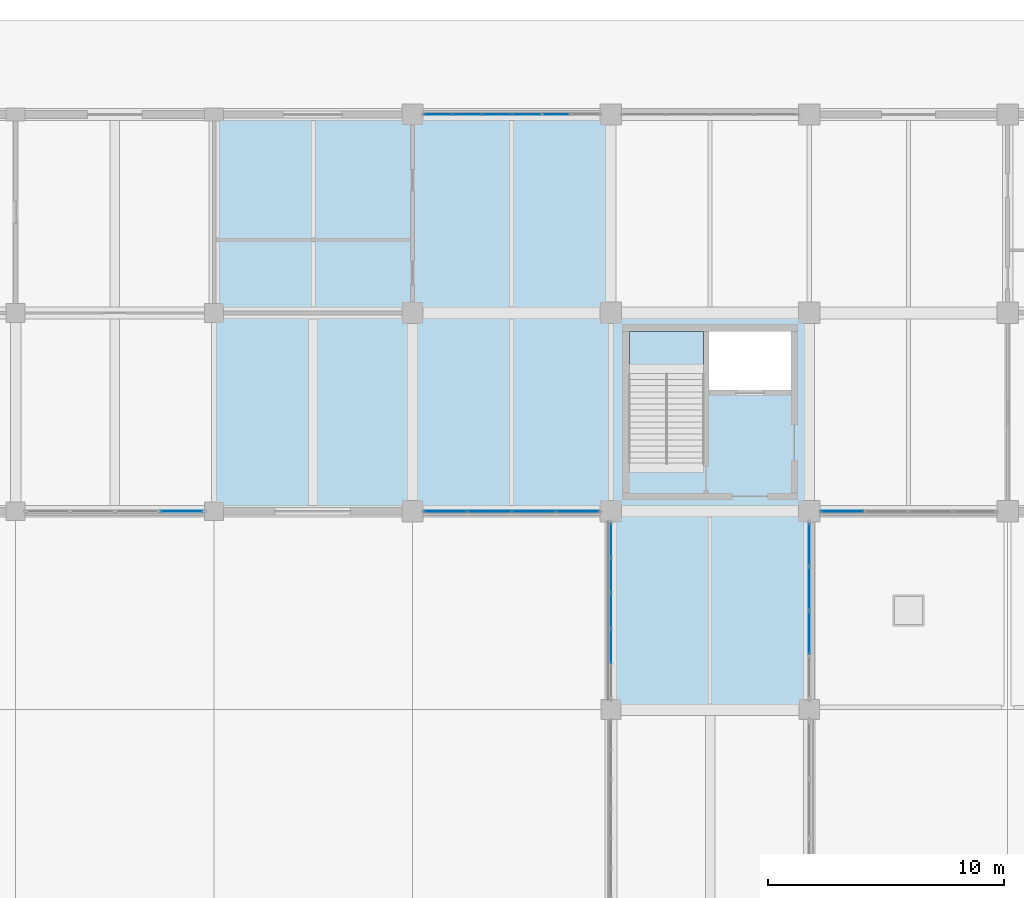
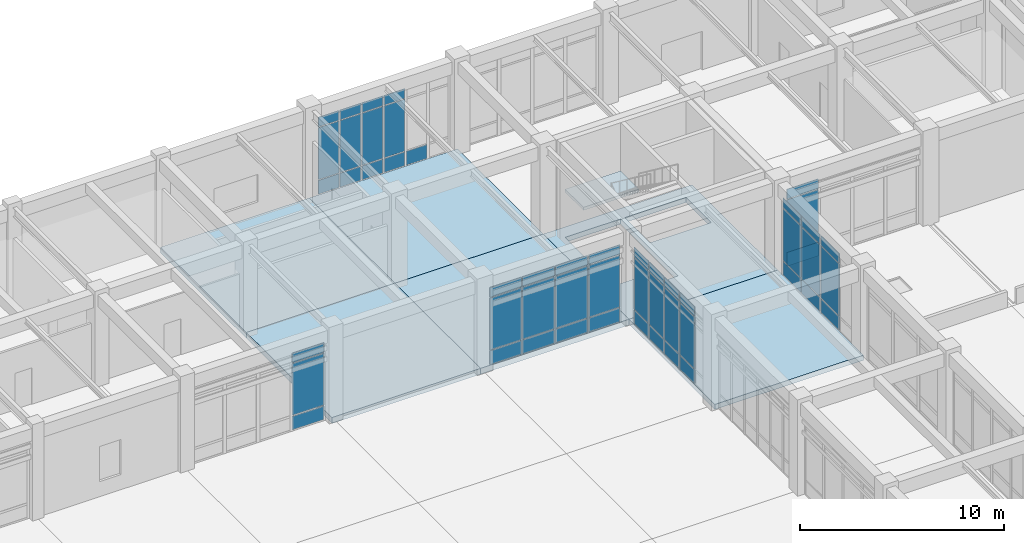
# One storey, part 55 of 91: 52 plates, 7 slabs, 7 elements without a shape of their own.
"""IFC4 building model written with IfcOpenShell, lengths in metres."""

from ifc_helpers import new_model, si_unit, direction, frame, origin, origin_2d, place, context, subcontext, project, spatial, polyline, rectangle, outline, extrude, material, layer, layer_set, type_object, element, aggregate, save


model = new_model("IFC4")

# Units and contexts
model_context = context("Model", 3, precision=1e-05, world=origin(), true_north=direction((0.0, 1.0)))
body_context = subcontext(model_context, "Body", "Model", "MODEL_VIEW")
ifc_project = project(units=[si_unit("LENGTHUNIT", "METRE"), si_unit("AREAUNIT", "SQUARE_METRE"), si_unit("VOLUMEUNIT", "CUBIC_METRE"), si_unit("PLANEANGLEUNIT", "RADIAN"), si_unit("MASSUNIT", "GRAM", prefix="KILO")], contexts=[model_context])

# Site, building, storey
site_placement = place(None, origin())
site = spatial("IfcSite", under=ifc_project, at=site_placement, CompositionType="ELEMENT")
building_placement = place(site_placement, origin())
building = spatial("IfcBuilding", under=site, at=building_placement, Name="Porcellanite Civic Hall", CompositionType="ELEMENT")
storey_placement = place(building_placement, origin())
storey = spatial("IfcBuildingStorey", under=building, at=storey_placement, Name="L00", CompositionType="ELEMENT", Elevation=0.0)

# Curtain wall, plates
ifc_material_1 = material(Name="Anodised aluminium and solar laminated glass", Category="aluminium")
ifc_layer_1 = layer(ifc_material_1, 0.179931640625)
ifc_layer_set_1 = layer_set([ifc_layer_1], Name="Anodised aluminium and solar laminated glass")
curtain_wall_type_1 = type_object("IfcCurtainWallType", Name="CW-SYS05", PredefinedType="NOTDEFINED", material=ifc_layer_set_1)
curtain_wall_1_placement = place(storey_placement, origin())
curtain_wall_1 = element("IfcCurtainWall", 1, at=curtain_wall_1_placement, inside=storey, type_object=curtain_wall_type_1, Name="Curtain wall CW-013", PredefinedType="NOTDEFINED")
ifc_material_2 = material(Name="Cyclone laminated solar-control low-E glass", Category="glass")
ifc_layer_2 = layer(ifc_material_2, 0.028076171875)
ifc_layer_set_2 = layer_set([ifc_layer_2], Name="Cyclone laminated solar-control low-E glass")
plate_type_1 = type_object("IfcPlateType", Name="CWP-03", PredefinedType="CURTAIN_PANEL", material=ifc_layer_set_2)
plate_1_placement = place(storey_placement, frame((32.231689453125, 100.800048828125, 0.06005859375), z_axis=(0.0, 0.0, 1.0), x_axis=(-1.0, 0.0, 0.0)))
plate_1 = element("IfcPlate", 2, at=plate_1_placement, type_object=plate_type_1, Name="CW-013 panel 1.1", PredefinedType="CURTAIN_PANEL", context=body_context, shape_type="SweptSolid", body=[
    extrude(rectangle(XDim=1.79443359375, YDim=0.028076171875, at=origin_2d()), origin(), (0.0, 0.0, 1.0), 0.81005859375),
])
plate_2_placement = place(storey_placement, frame((32.231689453125, 100.800048828125, 0.93017578125), z_axis=(0.0, 0.0, 1.0), x_axis=(-1.0, 0.0, 0.0)))
plate_2 = element("IfcPlate", 3, at=plate_2_placement, type_object=plate_type_1, Name="CW-013 panel 1.2", PredefinedType="CURTAIN_PANEL", context=body_context, shape_type="SweptSolid", body=[
    extrude(rectangle(XDim=1.79443359375, YDim=0.028076171875, at=origin_2d()), origin(), (0.0, 0.0, 1.0), 3.090087890625),
])
plate_3_placement = place(storey_placement, frame((32.231689453125, 100.800048828125, 4.080078125), z_axis=(0.0, 0.0, 1.0), x_axis=(-1.0, 0.0, 0.0)))
plate_3 = element("IfcPlate", 4, at=plate_3_placement, type_object=plate_type_1, Name="CW-013 panel 1.3", PredefinedType="CURTAIN_PANEL", context=body_context, shape_type="SweptSolid", body=[
    extrude(rectangle(XDim=1.79443359375, YDim=0.028076171875, at=origin_2d()), origin(), (0.0, 0.0, 1.0), 0.56005859375),
])
aggregate(curtain_wall_1, [plate_1, plate_2, plate_3])

ifc_material_3 = material(Name="Anodised aluminium and solar laminated glass", Category="aluminium")
ifc_layer_3 = layer(ifc_material_3, 0.179931640625)
ifc_layer_set_3 = layer_set([ifc_layer_3], Name="Anodised aluminium and solar laminated glass")
curtain_wall_type_2 = type_object("IfcCurtainWallType", Name="CW-SYS01", PredefinedType="NOTDEFINED", material=ifc_layer_set_3)
curtain_wall_2_placement = place(storey_placement, origin())
curtain_wall_2 = element("IfcCurtainWall", 5, at=curtain_wall_2_placement, inside=storey, type_object=curtain_wall_type_2, Name="Curtain wall CW-023", PredefinedType="NOTDEFINED")
ifc_material_4 = material(Name="Cyclone laminated solar-control low-E glass", Category="glass")
ifc_layer_4 = layer(ifc_material_4, 0.030029296875)
ifc_layer_set_4 = layer_set([ifc_layer_4], Name="Cyclone laminated solar-control low-E glass")
plate_type_2 = type_object("IfcPlateType", Name="CWP-04", PredefinedType="CURTAIN_PANEL", material=ifc_layer_set_4)
plate_4_placement = place(storey_placement, frame((50.39990234375, 95.0830078125, 0.06005859375), z_axis=(0.0, 0.0, 1.0), x_axis=(0.0, 1.0, 0.0)))
plate_4 = element("IfcPlate", 6, at=plate_4_placement, type_object=plate_type_2, Name="CW-023 panel 2.1", PredefinedType="CURTAIN_PANEL", context=body_context, shape_type="SweptSolid", body=[
    extrude(rectangle(XDim=1.4345703125, YDim=0.030029296875, at=origin_2d()), origin(), (0.0, 0.0, 1.0), 0.81005859375),
])
plate_5_placement = place(storey_placement, frame((50.39990234375, 95.0830078125, 0.93017578125), z_axis=(0.0, 0.0, 1.0), x_axis=(0.0, 1.0, 0.0)))
plate_5 = element("IfcPlate", 7, at=plate_5_placement, type_object=plate_type_2, Name="CW-023 panel 2.2", PredefinedType="CURTAIN_PANEL", context=body_context, shape_type="SweptSolid", body=[
    extrude(rectangle(XDim=1.4345703125, YDim=0.030029296875, at=origin_2d()), origin(), (0.0, 0.0, 1.0), 3.090087890625),
])
plate_6_placement = place(storey_placement, frame((50.39990234375, 95.0830078125, 4.080078125), z_axis=(0.0, 0.0, 1.0), x_axis=(0.0, 1.0, 0.0)))
plate_6 = element("IfcPlate", 8, at=plate_6_placement, type_object=plate_type_2, Name="CW-023 panel 2.3", PredefinedType="CURTAIN_PANEL", context=body_context, shape_type="SweptSolid", body=[
    extrude(rectangle(XDim=1.4345703125, YDim=0.030029296875, at=origin_2d()), origin(), (0.0, 0.0, 1.0), 0.56005859375),
])
plate_7_placement = place(storey_placement, frame((50.39990234375, 96.58740234375, 0.06005859375), z_axis=(0.0, 0.0, 1.0), x_axis=(0.0, 1.0, 0.0)))
plate_7 = element("IfcPlate", 9, at=plate_7_placement, type_object=plate_type_2, Name="CW-023 panel 3.1", PredefinedType="CURTAIN_PANEL", context=body_context, shape_type="SweptSolid", body=[
    extrude(rectangle(XDim=1.4345703125, YDim=0.030029296875, at=origin_2d()), origin(), (0.0, 0.0, 1.0), 0.81005859375),
])
plate_8_placement = place(storey_placement, frame((50.39990234375, 96.58740234375, 0.93017578125), z_axis=(0.0, 0.0, 1.0), x_axis=(0.0, 1.0, 0.0)))
plate_8 = element("IfcPlate", 10, at=plate_8_placement, type_object=plate_type_2, Name="CW-023 panel 3.2", PredefinedType="CURTAIN_PANEL", context=body_context, shape_type="SweptSolid", body=[
    extrude(rectangle(XDim=1.4345703125, YDim=0.030029296875, at=origin_2d()), origin(), (0.0, 0.0, 1.0), 3.090087890625),
])
plate_9_placement = place(storey_placement, frame((50.39990234375, 96.58740234375, 4.080078125), z_axis=(0.0, 0.0, 1.0), x_axis=(0.0, 1.0, 0.0)))
plate_9 = element("IfcPlate", 11, at=plate_9_placement, type_object=plate_type_2, Name="CW-023 panel 3.3", PredefinedType="CURTAIN_PANEL", context=body_context, shape_type="SweptSolid", body=[
    extrude(rectangle(XDim=1.4345703125, YDim=0.030029296875, at=origin_2d()), origin(), (0.0, 0.0, 1.0), 0.56005859375),
])
plate_10_placement = place(storey_placement, frame((50.39990234375, 98.092041015625, 0.06005859375), z_axis=(0.0, 0.0, 1.0), x_axis=(0.0, 1.0, 0.0)))
plate_10 = element("IfcPlate", 12, at=plate_10_placement, type_object=plate_type_2, Name="CW-023 panel 4.1", PredefinedType="CURTAIN_PANEL", context=body_context, shape_type="SweptSolid", body=[
    extrude(rectangle(XDim=1.4345703125, YDim=0.030029296875, at=origin_2d()), origin(), (0.0, 0.0, 1.0), 0.81005859375),
])
plate_11_placement = place(storey_placement, frame((50.39990234375, 98.092041015625, 0.93017578125), z_axis=(0.0, 0.0, 1.0), x_axis=(0.0, 1.0, 0.0)))
plate_11 = element("IfcPlate", 13, at=plate_11_placement, type_object=plate_type_2, Name="CW-023 panel 4.2", PredefinedType="CURTAIN_PANEL", context=body_context, shape_type="SweptSolid", body=[
    extrude(rectangle(XDim=1.4345703125, YDim=0.030029296875, at=origin_2d()), origin(), (0.0, 0.0, 1.0), 3.090087890625),
])
plate_12_placement = place(storey_placement, frame((50.39990234375, 98.092041015625, 4.080078125), z_axis=(0.0, 0.0, 1.0), x_axis=(0.0, 1.0, 0.0)))
plate_12 = element("IfcPlate", 14, at=plate_12_placement, type_object=plate_type_2, Name="CW-023 panel 4.3", PredefinedType="CURTAIN_PANEL", context=body_context, shape_type="SweptSolid", body=[
    extrude(rectangle(XDim=1.4345703125, YDim=0.030029296875, at=origin_2d()), origin(), (0.0, 0.0, 1.0), 0.56005859375),
])
plate_13_placement = place(storey_placement, frame((50.39990234375, 99.5791015625, 0.06005859375), z_axis=(0.0, 0.0, 1.0), x_axis=(0.0, 1.0, 0.0)))
plate_13 = element("IfcPlate", 15, at=plate_13_placement, type_object=plate_type_2, Name="CW-023 panel 5.1", PredefinedType="CURTAIN_PANEL", context=body_context, shape_type="SweptSolid", body=[
    extrude(rectangle(XDim=1.399658203125, YDim=0.030029296875, at=origin_2d()), origin(), (0.0, 0.0, 1.0), 0.81005859375),
])
plate_14_placement = place(storey_placement, frame((50.39990234375, 99.5791015625, 0.93017578125), z_axis=(0.0, 0.0, 1.0), x_axis=(0.0, 1.0, 0.0)))
plate_14 = element("IfcPlate", 16, at=plate_14_placement, type_object=plate_type_2, Name="CW-023 panel 5.2", PredefinedType="CURTAIN_PANEL", context=body_context, shape_type="SweptSolid", body=[
    extrude(rectangle(XDim=1.399658203125, YDim=0.030029296875, at=origin_2d()), origin(), (0.0, 0.0, 1.0), 3.090087890625),
])
plate_15_placement = place(storey_placement, frame((50.39990234375, 99.5791015625, 4.080078125), z_axis=(0.0, 0.0, 1.0), x_axis=(0.0, 1.0, 0.0)))
plate_15 = element("IfcPlate", 17, at=plate_15_placement, type_object=plate_type_2, Name="CW-023 panel 5.3", PredefinedType="CURTAIN_PANEL", context=body_context, shape_type="SweptSolid", body=[
    extrude(rectangle(XDim=1.399658203125, YDim=0.030029296875, at=origin_2d()), origin(), (0.0, 0.0, 1.0), 0.56005859375),
])
aggregate(curtain_wall_2, [plate_4, plate_5, plate_6, plate_7, plate_8, plate_9, plate_10, plate_11, plate_12, plate_13, plate_14, plate_15])

ifc_material_5 = material(Name="Anodised aluminium and solar laminated glass", Category="aluminium")
ifc_layer_5 = layer(ifc_material_5, 0.179931640625)
ifc_layer_set_5 = layer_set([ifc_layer_5], Name="Anodised aluminium and solar laminated glass")
curtain_wall_type_3 = type_object("IfcCurtainWallType", Name="CW-SYS06", PredefinedType="NOTDEFINED", material=ifc_layer_set_5)
curtain_wall_3_placement = place(storey_placement, origin())
curtain_wall_3 = element("IfcCurtainWall", 18, at=curtain_wall_3_placement, inside=storey, type_object=curtain_wall_type_3, Name="Curtain wall CW-014", PredefinedType="NOTDEFINED")
ifc_material_6 = material(Name="Cyclone laminated solar-control low-E glass", Category="glass")
ifc_layer_6 = layer(ifc_material_6, 0.031982421875)
ifc_layer_set_6 = layer_set([ifc_layer_6], Name="Cyclone laminated solar-control low-E glass")
plate_type_3 = type_object("IfcPlateType", Name="CWP-05", PredefinedType="CURTAIN_PANEL", material=ifc_layer_set_6)
plate_16_placement = place(storey_placement, frame((48.99560546875, 100.800048828125, 0.0498046875), z_axis=(0.0, 0.0, 1.0), x_axis=(-1.0, 0.0, 0.0)))
plate_16 = element("IfcPlate", 19, at=plate_16_placement, type_object=plate_type_3, Name="CW-014 panel 1.1", PredefinedType="CURTAIN_PANEL", context=body_context, shape_type="SweptSolid", body=[
    extrude(rectangle(XDim=1.777099609375, YDim=0.031982421875, at=origin_2d()), origin(), (0.0, 0.0, 1.0), 0.824951171875),
])
plate_17_placement = place(storey_placement, frame((48.99560546875, 100.800048828125, 0.925048828125), z_axis=(0.0, 0.0, 1.0), x_axis=(-1.0, 0.0, 0.0)))
plate_17 = element("IfcPlate", 20, at=plate_17_placement, type_object=plate_type_3, Name="CW-014 panel 1.2", PredefinedType="CURTAIN_PANEL", context=body_context, shape_type="SweptSolid", body=[
    extrude(rectangle(XDim=1.777099609375, YDim=0.031982421875, at=origin_2d()), origin(), (0.0, 0.0, 1.0), 3.10009765625),
])
plate_18_placement = place(storey_placement, frame((48.99560546875, 100.800048828125, 4.0751953125), z_axis=(0.0, 0.0, 1.0), x_axis=(-1.0, 0.0, 0.0)))
plate_18 = element("IfcPlate", 21, at=plate_18_placement, type_object=plate_type_3, Name="CW-014 panel 1.3", PredefinedType="CURTAIN_PANEL", context=body_context, shape_type="SweptSolid", body=[
    extrude(rectangle(XDim=1.777099609375, YDim=0.031982421875, at=origin_2d()), origin(), (0.0, 0.0, 1.0), 0.574951171875),
])
plate_19_placement = place(storey_placement, frame((47.13720703125, 100.800048828125, 0.0498046875), z_axis=(0.0, 0.0, 1.0), x_axis=(-1.0, 0.0, 0.0)))
plate_19 = element("IfcPlate", 22, at=plate_19_placement, type_object=plate_type_3, Name="CW-014 panel 2.1", PredefinedType="CURTAIN_PANEL", context=body_context, shape_type="SweptSolid", body=[
    extrude(rectangle(XDim=1.8095703125, YDim=0.031982421875, at=origin_2d()), origin(), (0.0, 0.0, 1.0), 0.824951171875),
])
plate_20_placement = place(storey_placement, frame((47.13720703125, 100.800048828125, 0.925048828125), z_axis=(0.0, 0.0, 1.0), x_axis=(-1.0, 0.0, 0.0)))
plate_20 = element("IfcPlate", 23, at=plate_20_placement, type_object=plate_type_3, Name="CW-014 panel 2.2", PredefinedType="CURTAIN_PANEL", context=body_context, shape_type="SweptSolid", body=[
    extrude(rectangle(XDim=1.8095703125, YDim=0.031982421875, at=origin_2d()), origin(), (0.0, 0.0, 1.0), 3.10009765625),
])
plate_21_placement = place(storey_placement, frame((47.13720703125, 100.800048828125, 4.0751953125), z_axis=(0.0, 0.0, 1.0), x_axis=(-1.0, 0.0, 0.0)))
plate_21 = element("IfcPlate", 24, at=plate_21_placement, type_object=plate_type_3, Name="CW-014 panel 2.3", PredefinedType="CURTAIN_PANEL", context=body_context, shape_type="SweptSolid", body=[
    extrude(rectangle(XDim=1.8095703125, YDim=0.031982421875, at=origin_2d()), origin(), (0.0, 0.0, 1.0), 0.574951171875),
])
plate_22_placement = place(storey_placement, frame((45.2626953125, 100.800048828125, 0.0498046875), z_axis=(0.0, 0.0, 1.0), x_axis=(-1.0, 0.0, 0.0)))
plate_22 = element("IfcPlate", 25, at=plate_22_placement, type_object=plate_type_3, Name="CW-014 panel 3.1", PredefinedType="CURTAIN_PANEL", context=body_context, shape_type="SweptSolid", body=[
    extrude(rectangle(XDim=1.8095703125, YDim=0.031982421875, at=origin_2d()), origin(), (0.0, 0.0, 1.0), 0.824951171875),
])
plate_23_placement = place(storey_placement, frame((45.2626953125, 100.800048828125, 0.925048828125), z_axis=(0.0, 0.0, 1.0), x_axis=(-1.0, 0.0, 0.0)))
plate_23 = element("IfcPlate", 26, at=plate_23_placement, type_object=plate_type_3, Name="CW-014 panel 3.2", PredefinedType="CURTAIN_PANEL", context=body_context, shape_type="SweptSolid", body=[
    extrude(rectangle(XDim=1.8095703125, YDim=0.031982421875, at=origin_2d()), origin(), (0.0, 0.0, 1.0), 3.10009765625),
])
plate_24_placement = place(storey_placement, frame((45.2626953125, 100.800048828125, 4.0751953125), z_axis=(0.0, 0.0, 1.0), x_axis=(-1.0, 0.0, 0.0)))
plate_24 = element("IfcPlate", 27, at=plate_24_placement, type_object=plate_type_3, Name="CW-014 panel 3.3", PredefinedType="CURTAIN_PANEL", context=body_context, shape_type="SweptSolid", body=[
    extrude(rectangle(XDim=1.8095703125, YDim=0.031982421875, at=origin_2d()), origin(), (0.0, 0.0, 1.0), 0.574951171875),
])
plate_25_placement = place(storey_placement, frame((43.404541015625, 100.800048828125, 0.0498046875), z_axis=(0.0, 0.0, 1.0), x_axis=(-1.0, 0.0, 0.0)))
plate_25 = element("IfcPlate", 28, at=plate_25_placement, type_object=plate_type_3, Name="CW-014 panel 4.1", PredefinedType="CURTAIN_PANEL", context=body_context, shape_type="SweptSolid", body=[
    extrude(rectangle(XDim=1.777099609375, YDim=0.031982421875, at=origin_2d()), origin(), (0.0, 0.0, 1.0), 0.824951171875),
])
plate_26_placement = place(storey_placement, frame((43.404541015625, 100.800048828125, 0.925048828125), z_axis=(0.0, 0.0, 1.0), x_axis=(-1.0, 0.0, 0.0)))
plate_26 = element("IfcPlate", 29, at=plate_26_placement, type_object=plate_type_3, Name="CW-014 panel 4.2", PredefinedType="CURTAIN_PANEL", context=body_context, shape_type="SweptSolid", body=[
    extrude(rectangle(XDim=1.777099609375, YDim=0.031982421875, at=origin_2d()), origin(), (0.0, 0.0, 1.0), 3.10009765625),
])
plate_27_placement = place(storey_placement, frame((43.404541015625, 100.800048828125, 4.0751953125), z_axis=(0.0, 0.0, 1.0), x_axis=(-1.0, 0.0, 0.0)))
plate_27 = element("IfcPlate", 30, at=plate_27_placement, type_object=plate_type_3, Name="CW-014 panel 4.3", PredefinedType="CURTAIN_PANEL", context=body_context, shape_type="SweptSolid", body=[
    extrude(rectangle(XDim=1.777099609375, YDim=0.031982421875, at=origin_2d()), origin(), (0.0, 0.0, 1.0), 0.574951171875),
])
aggregate(curtain_wall_3, [plate_16, plate_17, plate_18, plate_19, plate_20, plate_21, plate_22, plate_23, plate_24, plate_25, plate_26, plate_27])

ifc_material_7 = material(Name="Anodised aluminium and solar laminated glass", Category="aluminium")
ifc_layer_7 = layer(ifc_material_7, 0.179931640625)
ifc_layer_set_7 = layer_set([ifc_layer_7], Name="Anodised aluminium and solar laminated glass")
curtain_wall_type_4 = type_object("IfcCurtainWallType", Name="CW-SYS03", PredefinedType="NOTDEFINED", material=ifc_layer_set_7)
curtain_wall_4_placement = place(storey_placement, origin())
curtain_wall_4 = element("IfcCurtainWall", 31, at=curtain_wall_4_placement, inside=storey, type_object=curtain_wall_type_4, Name="Curtain wall CW-024", PredefinedType="NOTDEFINED")
plate_28_placement = place(storey_placement, frame((58.800048828125, 99.388671875, 0.05517578125), z_axis=(0.0, 0.0, 1.0), x_axis=(0.0, -1.0, 0.0)))
plate_28 = element("IfcPlate", 32, at=plate_28_placement, type_object=plate_type_3, Name="CW-024 panel 1.1", PredefinedType="CURTAIN_PANEL", context=body_context, shape_type="SweptSolid", body=[
    extrude(rectangle(XDim=1.7607421875, YDim=0.031982421875, at=origin_2d()), origin(), (0.0, 0.0, 1.0), 0.8173828125),
])
plate_29_placement = place(storey_placement, frame((58.800048828125, 99.388671875, 0.927734375), z_axis=(0.0, 0.0, 1.0), x_axis=(0.0, -1.0, 0.0)))
plate_29 = element("IfcPlate", 33, at=plate_29_placement, type_object=plate_type_3, Name="CW-024 panel 1.2", PredefinedType="CURTAIN_PANEL", context=body_context, shape_type="SweptSolid", body=[
    extrude(rectangle(XDim=1.7607421875, YDim=0.031982421875, at=origin_2d()), origin(), (0.0, 0.0, 1.0), 3.094970703125),
])
plate_30_placement = place(storey_placement, frame((58.800048828125, 99.388671875, 4.07763671875), z_axis=(0.0, 0.0, 1.0), x_axis=(0.0, -1.0, 0.0)))
plate_30 = element("IfcPlate", 34, at=plate_30_placement, type_object=plate_type_3, Name="CW-024 panel 1.3", PredefinedType="CURTAIN_PANEL", context=body_context, shape_type="SweptSolid", body=[
    extrude(rectangle(XDim=1.7607421875, YDim=0.031982421875, at=origin_2d()), origin(), (0.0, 0.0, 1.0), 0.5673828125),
])
plate_31_placement = place(storey_placement, frame((58.800048828125, 97.52783203125, 0.05517578125), z_axis=(0.0, 0.0, 1.0), x_axis=(0.0, -1.0, 0.0)))
plate_31 = element("IfcPlate", 35, at=plate_31_placement, type_object=plate_type_3, Name="CW-024 panel 2.1", PredefinedType="CURTAIN_PANEL", context=body_context, shape_type="SweptSolid", body=[
    extrude(rectangle(XDim=1.80078125, YDim=0.031982421875, at=origin_2d()), origin(), (0.0, 0.0, 1.0), 0.8173828125),
])
plate_32_placement = place(storey_placement, frame((58.800048828125, 97.52783203125, 0.927734375), z_axis=(0.0, 0.0, 1.0), x_axis=(0.0, -1.0, 0.0)))
plate_32 = element("IfcPlate", 36, at=plate_32_placement, type_object=plate_type_3, Name="CW-024 panel 2.2", PredefinedType="CURTAIN_PANEL", context=body_context, shape_type="SweptSolid", body=[
    extrude(rectangle(XDim=1.80078125, YDim=0.031982421875, at=origin_2d()), origin(), (0.0, 0.0, 1.0), 3.094970703125),
])
plate_33_placement = place(storey_placement, frame((58.800048828125, 97.52783203125, 4.07763671875), z_axis=(0.0, 0.0, 1.0), x_axis=(0.0, -1.0, 0.0)))
plate_33 = element("IfcPlate", 37, at=plate_33_placement, type_object=plate_type_3, Name="CW-024 panel 2.3", PredefinedType="CURTAIN_PANEL", context=body_context, shape_type="SweptSolid", body=[
    extrude(rectangle(XDim=1.80078125, YDim=0.031982421875, at=origin_2d()), origin(), (0.0, 0.0, 1.0), 0.5673828125),
])
plate_34_placement = place(storey_placement, frame((58.800048828125, 95.647216796875, 0.05517578125), z_axis=(0.0, 0.0, 1.0), x_axis=(0.0, -1.0, 0.0)))
plate_34 = element("IfcPlate", 38, at=plate_34_placement, type_object=plate_type_3, Name="CW-024 panel 3.1", PredefinedType="CURTAIN_PANEL", context=body_context, shape_type="SweptSolid", body=[
    extrude(rectangle(XDim=1.80078125, YDim=0.031982421875, at=origin_2d()), origin(), (0.0, 0.0, 1.0), 0.8173828125),
])
plate_35_placement = place(storey_placement, frame((58.800048828125, 95.647216796875, 0.927734375), z_axis=(0.0, 0.0, 1.0), x_axis=(0.0, -1.0, 0.0)))
plate_35 = element("IfcPlate", 39, at=plate_35_placement, type_object=plate_type_3, Name="CW-024 panel 3.2", PredefinedType="CURTAIN_PANEL", context=body_context, shape_type="SweptSolid", body=[
    extrude(rectangle(XDim=1.80078125, YDim=0.031982421875, at=origin_2d()), origin(), (0.0, 0.0, 1.0), 3.094970703125),
])
plate_36_placement = place(storey_placement, frame((58.800048828125, 95.647216796875, 4.07763671875), z_axis=(0.0, 0.0, 1.0), x_axis=(0.0, -1.0, 0.0)))
plate_36 = element("IfcPlate", 40, at=plate_36_placement, type_object=plate_type_3, Name="CW-024 panel 3.3", PredefinedType="CURTAIN_PANEL", context=body_context, shape_type="SweptSolid", body=[
    extrude(rectangle(XDim=1.80078125, YDim=0.031982421875, at=origin_2d()), origin(), (0.0, 0.0, 1.0), 0.5673828125),
])
aggregate(curtain_wall_4, [plate_28, plate_29, plate_30, plate_31, plate_32, plate_33, plate_34, plate_35, plate_36])

ifc_material_8 = material(Name="Anodised aluminium and solar laminated glass", Category="aluminium")
ifc_layer_8 = layer(ifc_material_8, 0.179931640625)
ifc_layer_set_8 = layer_set([ifc_layer_8], Name="Anodised aluminium and solar laminated glass")
curtain_wall_type_5 = type_object("IfcCurtainWallType", Name="CW-SYS07", PredefinedType="NOTDEFINED", material=ifc_layer_set_8)
curtain_wall_5_placement = place(storey_placement, origin())
curtain_wall_5 = element("IfcCurtainWall", 41, at=curtain_wall_5_placement, inside=storey, type_object=curtain_wall_type_5, Name="Curtain wall CW-015", PredefinedType="NOTDEFINED")
ifc_material_9 = material(Name="Cyclone laminated solar-control low-E glass", Category="glass")
ifc_layer_9 = layer(ifc_material_9, 0.033935546875)
ifc_layer_set_9 = layer_set([ifc_layer_9], Name="Cyclone laminated solar-control low-E glass")
plate_type_4 = type_object("IfcPlateType", Name="CWP-06", PredefinedType="CURTAIN_PANEL", material=ifc_layer_set_9)
plate_37_placement = place(storey_placement, frame((43.0908203125, 117.60009765625, 0.0498046875), z_axis=(0.0, 0.0, 1.0), x_axis=(1.0, 0.0, 0.0)))
plate_37 = element("IfcPlate", 42, at=plate_37_placement, type_object=plate_type_4, Name="CW-015 panel 1.1", PredefinedType="CURTAIN_PANEL", context=body_context, shape_type="SweptSolid", body=[
    extrude(rectangle(XDim=1.15966796875, YDim=0.033935546875, at=origin_2d()), origin(), (0.0, 0.0, 1.0), 0.824951171875),
])
plate_38_placement = place(storey_placement, frame((43.0908203125, 117.60009765625, 0.925048828125), z_axis=(0.0, 0.0, 1.0), x_axis=(1.0, 0.0, 0.0)))
plate_38 = element("IfcPlate", 43, at=plate_38_placement, type_object=plate_type_4, Name="CW-015 panel 1.2", PredefinedType="CURTAIN_PANEL", context=body_context, shape_type="SweptSolid", body=[
    extrude(rectangle(XDim=1.15966796875, YDim=0.033935546875, at=origin_2d()), origin(), (0.0, 0.0, 1.0), 3.10009765625),
])
plate_39_placement = place(storey_placement, frame((43.0908203125, 117.60009765625, 4.0751953125), z_axis=(0.0, 0.0, 1.0), x_axis=(1.0, 0.0, 0.0)))
plate_39 = element("IfcPlate", 44, at=plate_39_placement, type_object=plate_type_4, Name="CW-015 panel 1.3", PredefinedType="CURTAIN_PANEL", context=body_context, shape_type="SweptSolid", body=[
    extrude(rectangle(XDim=1.15966796875, YDim=0.033935546875, at=origin_2d()), origin(), (0.0, 0.0, 1.0), 0.574951171875),
])
plate_40_placement = place(storey_placement, frame((44.325439453125, 117.60009765625, 0.0498046875), z_axis=(0.0, 0.0, 1.0), x_axis=(1.0, 0.0, 0.0)))
plate_40 = element("IfcPlate", 45, at=plate_40_placement, type_object=plate_type_4, Name="CW-015 panel 2.1", PredefinedType="CURTAIN_PANEL", context=body_context, shape_type="SweptSolid", body=[
    extrude(rectangle(XDim=1.189697265625, YDim=0.033935546875, at=origin_2d()), origin(), (0.0, 0.0, 1.0), 0.824951171875),
])
plate_41_placement = place(storey_placement, frame((44.325439453125, 117.60009765625, 0.925048828125), z_axis=(0.0, 0.0, 1.0), x_axis=(1.0, 0.0, 0.0)))
plate_41 = element("IfcPlate", 46, at=plate_41_placement, type_object=plate_type_4, Name="CW-015 panel 2.2", PredefinedType="CURTAIN_PANEL", context=body_context, shape_type="SweptSolid", body=[
    extrude(rectangle(XDim=1.189697265625, YDim=0.033935546875, at=origin_2d()), origin(), (0.0, 0.0, 1.0), 3.10009765625),
])
plate_42_placement = place(storey_placement, frame((44.325439453125, 117.60009765625, 4.0751953125), z_axis=(0.0, 0.0, 1.0), x_axis=(1.0, 0.0, 0.0)))
plate_42 = element("IfcPlate", 47, at=plate_42_placement, type_object=plate_type_4, Name="CW-015 panel 2.3", PredefinedType="CURTAIN_PANEL", context=body_context, shape_type="SweptSolid", body=[
    extrude(rectangle(XDim=1.189697265625, YDim=0.033935546875, at=origin_2d()), origin(), (0.0, 0.0, 1.0), 0.574951171875),
])
plate_43_placement = place(storey_placement, frame((45.5751953125, 117.60009765625, 0.0498046875), z_axis=(0.0, 0.0, 1.0), x_axis=(1.0, 0.0, 0.0)))
plate_43 = element("IfcPlate", 48, at=plate_43_placement, type_object=plate_type_4, Name="CW-015 panel 3.1", PredefinedType="CURTAIN_PANEL", context=body_context, shape_type="SweptSolid", body=[
    extrude(rectangle(XDim=1.189697265625, YDim=0.033935546875, at=origin_2d()), origin(), (0.0, 0.0, 1.0), 0.824951171875),
])
plate_44_placement = place(storey_placement, frame((45.5751953125, 117.60009765625, 0.925048828125), z_axis=(0.0, 0.0, 1.0), x_axis=(1.0, 0.0, 0.0)))
plate_44 = element("IfcPlate", 49, at=plate_44_placement, type_object=plate_type_4, Name="CW-015 panel 3.2", PredefinedType="CURTAIN_PANEL", context=body_context, shape_type="SweptSolid", body=[
    extrude(rectangle(XDim=1.189697265625, YDim=0.033935546875, at=origin_2d()), origin(), (0.0, 0.0, 1.0), 3.10009765625),
])
plate_45_placement = place(storey_placement, frame((45.5751953125, 117.60009765625, 4.0751953125), z_axis=(0.0, 0.0, 1.0), x_axis=(1.0, 0.0, 0.0)))
plate_45 = element("IfcPlate", 50, at=plate_45_placement, type_object=plate_type_4, Name="CW-015 panel 3.3", PredefinedType="CURTAIN_PANEL", context=body_context, shape_type="SweptSolid", body=[
    extrude(rectangle(XDim=1.189697265625, YDim=0.033935546875, at=origin_2d()), origin(), (0.0, 0.0, 1.0), 0.574951171875),
])
plate_46_placement = place(storey_placement, frame((46.824951171875, 117.60009765625, 0.0498046875), z_axis=(0.0, 0.0, 1.0), x_axis=(1.0, 0.0, 0.0)))
plate_46 = element("IfcPlate", 51, at=plate_46_placement, type_object=plate_type_4, Name="CW-015 panel 4.1", PredefinedType="CURTAIN_PANEL", context=body_context, shape_type="SweptSolid", body=[
    extrude(rectangle(XDim=1.189697265625, YDim=0.033935546875, at=origin_2d()), origin(), (0.0, 0.0, 1.0), 0.824951171875),
])
plate_47_placement = place(storey_placement, frame((46.824951171875, 117.60009765625, 0.925048828125), z_axis=(0.0, 0.0, 1.0), x_axis=(1.0, 0.0, 0.0)))
plate_47 = element("IfcPlate", 52, at=plate_47_placement, type_object=plate_type_4, Name="CW-015 panel 4.2", PredefinedType="CURTAIN_PANEL", context=body_context, shape_type="SweptSolid", body=[
    extrude(rectangle(XDim=1.189697265625, YDim=0.033935546875, at=origin_2d()), origin(), (0.0, 0.0, 1.0), 3.10009765625),
])
plate_48_placement = place(storey_placement, frame((46.824951171875, 117.60009765625, 4.0751953125), z_axis=(0.0, 0.0, 1.0), x_axis=(1.0, 0.0, 0.0)))
plate_48 = element("IfcPlate", 53, at=plate_48_placement, type_object=plate_type_4, Name="CW-015 panel 4.3", PredefinedType="CURTAIN_PANEL", context=body_context, shape_type="SweptSolid", body=[
    extrude(rectangle(XDim=1.189697265625, YDim=0.033935546875, at=origin_2d()), origin(), (0.0, 0.0, 1.0), 0.574951171875),
])
plate_49_placement = place(storey_placement, frame((48.074462890625, 117.60009765625, 0.0498046875), z_axis=(0.0, 0.0, 1.0), x_axis=(1.0, 0.0, 0.0)))
plate_49 = element("IfcPlate", 54, at=plate_49_placement, type_object=plate_type_4, Name="CW-015 panel 5.1", PredefinedType="CURTAIN_PANEL", context=body_context, shape_type="SweptSolid", body=[
    extrude(rectangle(XDim=1.189697265625, YDim=0.033935546875, at=origin_2d()), origin(), (0.0, 0.0, 1.0), 0.824951171875),
])
aggregate(curtain_wall_5, [plate_37, plate_38, plate_39, plate_40, plate_41, plate_42, plate_43, plate_44, plate_45, plate_46, plate_47, plate_48, plate_49])

curtain_wall_6_placement = place(storey_placement, origin())
curtain_wall_6 = element("IfcCurtainWall", 55, at=curtain_wall_6_placement, inside=storey, type_object=curtain_wall_type_3, Name="Curtain wall CW-026", PredefinedType="NOTDEFINED")
ifc_material_10 = material(Name="Cyclone laminated solar-control low-E glass", Category="glass")
ifc_layer_10 = layer(ifc_material_10, 0.035888671875)
ifc_layer_set_10 = layer_set([ifc_layer_10], Name="Cyclone laminated solar-control low-E glass")
plate_type_5 = type_object("IfcPlateType", Name="CWP-07", PredefinedType="CURTAIN_PANEL", material=ifc_layer_set_10)
plate_50_placement = place(storey_placement, frame((60.20458984375, 100.800048828125, 0.0498046875), z_axis=(0.0, 0.0, 1.0), x_axis=(-1.0, 0.0, 0.0)))
plate_50 = element("IfcPlate", 56, at=plate_50_placement, type_object=plate_type_5, Name="CW-026 panel 4.1", PredefinedType="CURTAIN_PANEL", context=body_context, shape_type="SweptSolid", body=[
    extrude(rectangle(XDim=1.777099609375, YDim=0.035888671875, at=origin_2d()), origin(), (0.0, 0.0, 1.0), 0.824951171875),
])
plate_51_placement = place(storey_placement, frame((60.20458984375, 100.800048828125, 0.925048828125), z_axis=(0.0, 0.0, 1.0), x_axis=(-1.0, 0.0, 0.0)))
plate_51 = element("IfcPlate", 57, at=plate_51_placement, type_object=plate_type_5, Name="CW-026 panel 4.2", PredefinedType="CURTAIN_PANEL", context=body_context, shape_type="SweptSolid", body=[
    extrude(rectangle(XDim=1.777099609375, YDim=0.035888671875, at=origin_2d()), origin(), (0.0, 0.0, 1.0), 3.10009765625),
])
plate_52_placement = place(storey_placement, frame((60.20458984375, 100.800048828125, 4.0751953125), z_axis=(0.0, 0.0, 1.0), x_axis=(-1.0, 0.0, 0.0)))
plate_52 = element("IfcPlate", 58, at=plate_52_placement, type_object=plate_type_5, Name="CW-026 panel 4.3", PredefinedType="CURTAIN_PANEL", context=body_context, shape_type="SweptSolid", body=[
    extrude(rectangle(XDim=1.777099609375, YDim=0.035888671875, at=origin_2d()), origin(), (0.0, 0.0, 1.0), 0.574951171875),
])
aggregate(curtain_wall_6, [plate_50, plate_51, plate_52])

# Stair, slab
ifc_material_11 = material(Name="Concrete N40 (40 MPa)", Category="concrete")
stair_type = type_object("IfcStairType", Name="STR-HT32", PredefinedType="HALF_TURN_STAIR", material=ifc_material_11)
stair_placement = place(storey_placement, origin())
stair = element("IfcStair", 59, at=stair_placement, inside=storey, type_object=stair_type, Name="Fire stair ST-03 L00", PredefinedType="HALF_TURN_STAIR")
ifc_material_12 = material(Name="Concrete N40 (40 MPa)", Category="concrete")
ifc_layer_11 = layer(ifc_material_12, 0.179931640625)
ifc_layer_set_11 = layer_set([ifc_layer_11], Name="Concrete N40 (40 MPa)")
slab_type_1 = type_object("IfcSlabType", Name="LND-18", PredefinedType="LANDING", material=ifc_layer_set_11)
slab_1_placement = place(storey_placement, frame((0.0, 0.0, 2.699951171875)))
slab_1 = element("IfcSlab", 60, at=slab_1_placement, type_object=slab_type_1, Name="ST-03 landing 1", PredefinedType="LANDING", context=body_context, shape_type="SweptSolid", body=[
    extrude(outline(polyline([(51.180419921875, 106.625), (54.319580078125, 106.625), (54.319580078125, 108.41943359375), (51.180419921875, 108.41943359375), (51.180419921875, 106.625)])), origin(), (0.0, 0.0, 1.0), 0.179931640625),
])
aggregate(stair, [slab_1])

# Slabs
ifc_material_13 = material(Name="Concrete N40 (40 MPa)", Category="concrete")
ifc_layer_12 = layer(ifc_material_13, 0.35009765625)
ifc_layer_set_12 = layer_set([ifc_layer_12], Name="Concrete N40 (40 MPa)")
slab_type_2 = type_object("IfcSlabType", Name="SL-BASE350", PredefinedType="BASESLAB", material=ifc_layer_set_12)
slab_2_placement = place(storey_placement, frame((0.0, 0.0, -0.35009765625)))
element("IfcSlab", 61, at=slab_2_placement, inside=storey, type_object=slab_type_2, Name="Slab L00 bay 5-13", PredefinedType="BASESLAB", context=body_context, shape_type="SweptSolid", body=[
    extrude(outline(polyline([(33.60009765625, 100.800048828125), (42.0, 100.800048828125), (42.0, 109.199951171875), (33.60009765625, 109.199951171875), (33.60009765625, 100.800048828125)])), origin(), (0.0, 0.0, 1.0), 0.35009765625),
])
slab_3_placement = place(storey_placement, frame((0.0, 0.0, -0.35009765625)))
element("IfcSlab", 62, at=slab_3_placement, inside=storey, type_object=slab_type_2, Name="Slab L00 bay 5-14", PredefinedType="BASESLAB", context=body_context, shape_type="SweptSolid", body=[
    extrude(outline(polyline([(33.60009765625, 109.199951171875), (42.0, 109.199951171875), (42.0, 117.60009765625), (33.60009765625, 117.60009765625), (33.60009765625, 109.199951171875)])), origin(), (0.0, 0.0, 1.0), 0.35009765625),
])
slab_4_placement = place(storey_placement, frame((0.0, 0.0, -0.35009765625)))
element("IfcSlab", 63, at=slab_4_placement, inside=storey, type_object=slab_type_2, Name="Slab L00 bay 6-13", PredefinedType="BASESLAB", context=body_context, shape_type="SweptSolid", body=[
    extrude(outline(polyline([(42.0, 100.800048828125), (50.39990234375, 100.800048828125), (50.39990234375, 109.199951171875), (42.0, 109.199951171875), (42.0, 100.800048828125)])), origin(), (0.0, 0.0, 1.0), 0.35009765625),
])
slab_5_placement = place(storey_placement, frame((0.0, 0.0, -0.35009765625)))
element("IfcSlab", 64, at=slab_5_placement, inside=storey, type_object=slab_type_2, Name="Slab L00 bay 6-14", PredefinedType="BASESLAB", context=body_context, shape_type="SweptSolid", body=[
    extrude(outline(polyline([(42.0, 109.199951171875), (50.39990234375, 109.199951171875), (50.39990234375, 117.60009765625), (42.0, 117.60009765625), (42.0, 109.199951171875)])), origin(), (0.0, 0.0, 1.0), 0.35009765625),
])
ifc_material_14 = material(Name="Concrete N40 (40 MPa)", Category="concrete")
ifc_layer_13 = layer(ifc_material_14, 0.300048828125)
ifc_layer_set_13 = layer_set([ifc_layer_13], Name="Concrete N40 (40 MPa)")
slab_type_3 = type_object("IfcSlabType", Name="SL-TR300", PredefinedType="FLOOR", material=ifc_layer_set_13)
slab_6_placement = place(storey_placement, frame((0.0, 0.0, -0.300048828125)))
element("IfcSlab", 65, at=slab_6_placement, inside=storey, type_object=slab_type_3, Name="Slab L00 bay 7-12", PredefinedType="FLOOR", context=body_context, shape_type="SweptSolid", body=[
    extrude(outline(polyline([(50.39990234375, 92.39990234375), (58.800048828125, 92.39990234375), (58.800048828125, 100.800048828125), (50.39990234375, 100.800048828125), (50.39990234375, 92.39990234375)])), origin(), (0.0, 0.0, 1.0), 0.300048828125),
])
slab_7_placement = place(storey_placement, frame((0.0, 0.0, -0.300048828125)))
element("IfcSlab", 66, at=slab_7_placement, inside=storey, type_object=slab_type_3, Name="Slab L00 bay 7-13", PredefinedType="FLOOR", context=body_context, shape_type="SweptSolid", body=[
    extrude(outline(polyline([(50.39990234375, 100.800048828125), (58.800048828125, 100.800048828125), (58.800048828125, 109.199951171875), (50.39990234375, 109.199951171875), (50.39990234375, 100.800048828125)]), holes=[polyline([(51.179931640625, 103.64990234375), (52.760009765625, 103.64990234375), (52.760009765625, 102.800048828125), (54.320068359375, 102.800048828125), (54.320068359375, 108.419921875), (51.179931640625, 108.419921875), (51.179931640625, 103.64990234375)]), polyline([(54.56005859375, 105.93994140625), (58.02001953125, 105.93994140625), (58.02001953125, 108.419921875), (54.56005859375, 108.419921875), (54.56005859375, 105.93994140625)])]), origin(), (0.0, 0.0, 1.0), 0.300048828125),
])

save(model, "model.ifc")
